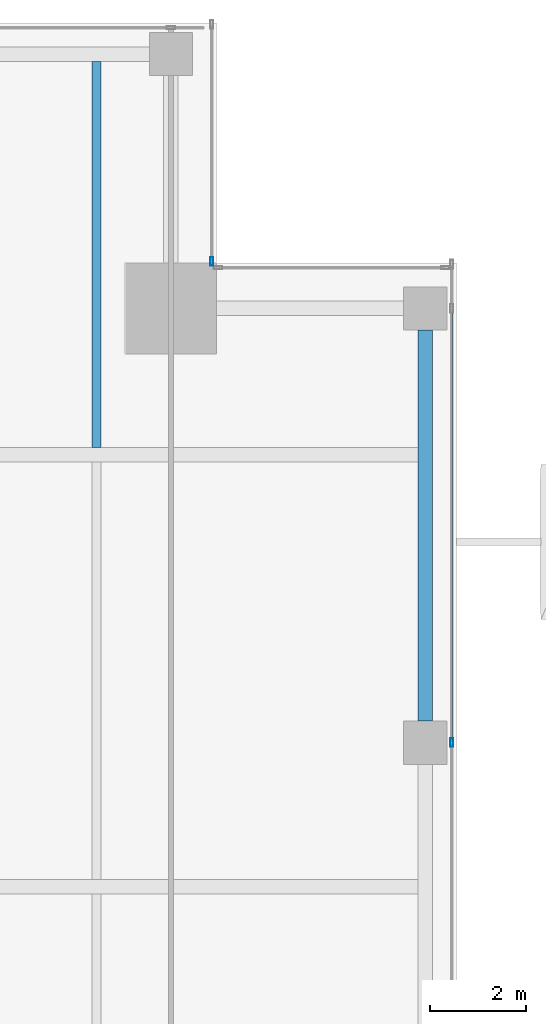
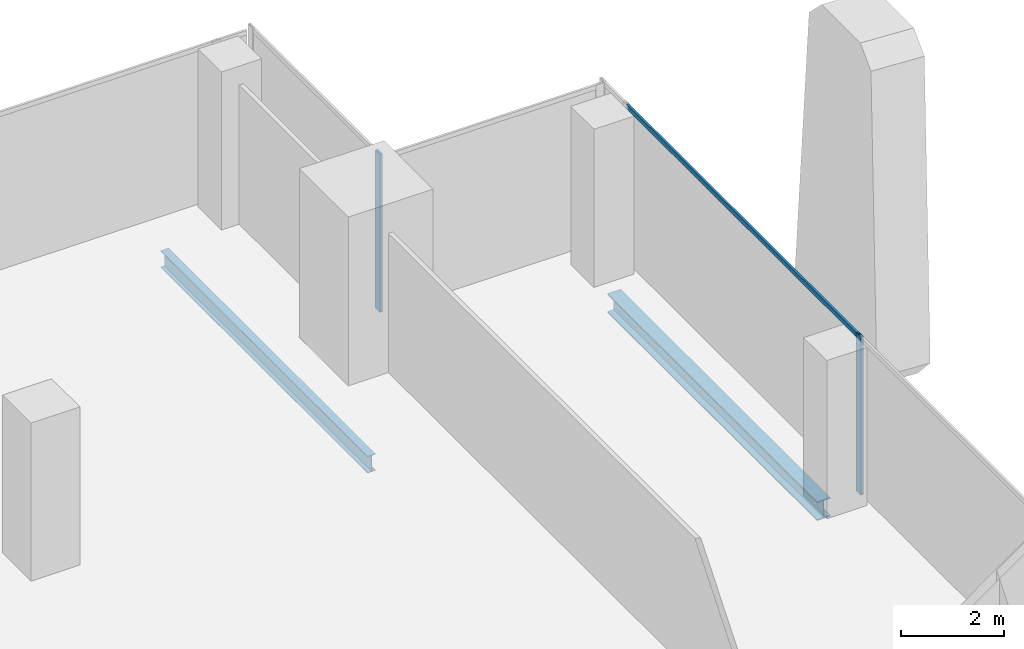
# One storey, part 22 of 36: 3 members, 2 beams, 2 elements without a shape of their own.
"""IFC4 building model written with IfcOpenShell, lengths in metres."""

from ifc_helpers import new_model, si_unit, direction, frame, origin, origin_2d, place, context, subcontext, project, spatial, hollow_rectangle, i_section, extrude, source, transform, mapped, material, material_profile, profile_set, type_object, element, aggregate, save


model = new_model("IFC4")

# Units and contexts
model_context = context("Model", 3, precision=1e-05, world=origin(), true_north=direction((0.0, 1.0)))
body_context = subcontext(model_context, "Body", "Model", "MODEL_VIEW")
ifc_project = project(units=[si_unit("LENGTHUNIT", "METRE"), si_unit("AREAUNIT", "SQUARE_METRE"), si_unit("VOLUMEUNIT", "CUBIC_METRE"), si_unit("PLANEANGLEUNIT", "RADIAN"), si_unit("MASSUNIT", "GRAM", prefix="KILO")], contexts=[model_context])

# Site, building, storey
site_placement = place(None, origin())
site = spatial("IfcSite", under=ifc_project, at=site_placement, CompositionType="ELEMENT")
building_placement = place(site_placement, origin())
building = spatial("IfcBuilding", under=site, at=building_placement, Name="Khomas Fold Tower", CompositionType="ELEMENT")
storey_placement = place(building_placement, frame((0.0, 0.0, 238.199951171875)))
storey = spatial("IfcBuildingStorey", under=building, at=storey_placement, Name="L53", CompositionType="ELEMENT", Elevation=238.199951171875)

# Beams
ifc_material_1 = material(Name="Steel S355", Category="steel")
ifc_material_profile_1 = material_profile(ifc_material_1, i_section(OverallWidth=0.300048828125, OverallDepth=0.449951171875, WebThickness=0.013916015625, FlangeThickness=0.02587890625, at=origin_2d()), Name="HE 450 B")
ifc_profile_set_1 = profile_set([ifc_material_profile_1], Name="Steel S355")
beam_type_1 = type_object("IfcBeamType", Name="HE 450 B spandrel SB4", PredefinedType="SPANDREL", material=ifc_profile_set_1)
shared_shape_1 = source(origin(), body_context, "Body", "SweptSolid", [
    extrude(i_section(OverallWidth=0.300048828125, OverallDepth=0.449951171875, WebThickness=0.013916015625, FlangeThickness=0.02587890625, at=origin_2d()), origin(), (0.0, 0.0, 1.0), 8.150146484375),
])
beam_1_placement = place(storey_placement, frame((48.85009765625, 34.949951171875, -0.474853515625), z_axis=(0.0, 1.0, 0.0), x_axis=(-1.0, 0.0, 0.0)))
element("IfcBeam", 1, at=beam_1_placement, inside=storey, type_object=beam_type_1, Name="SB4", PredefinedType="SPANDREL", context=body_context, shape_type="MappedRepresentation", body=[
    mapped(shared_shape_1, transform((0.0, 0.0, 0.0))),
])
ifc_material_2 = material(Name="Steel S355", Category="steel")
ifc_material_profile_2 = material_profile(ifc_material_2, i_section(OverallWidth=0.179931640625, OverallDepth=0.39990234375, WebThickness=0.008544921875, FlangeThickness=0.013427734375, at=origin_2d()), Name="IPE 400")
ifc_profile_set_2 = profile_set([ifc_material_profile_2], Name="Steel S355")
beam_type_2 = type_object("IfcBeamType", Name="IPE 400 beam JB3", PredefinedType="BEAM", material=ifc_profile_set_2)
shared_shape_2 = source(origin(), body_context, "Body", "SweptSolid", [
    extrude(i_section(OverallWidth=0.179931640625, OverallDepth=0.39990234375, WebThickness=0.008544921875, FlangeThickness=0.013427734375, at=origin_2d()), origin(), (0.0, 0.0, 1.0), 8.050048828125),
])
beam_2_placement = place(storey_placement, frame((42.0, 40.64990234375, -0.449951171875), z_axis=(0.0, 1.0, 0.0), x_axis=(-1.0, 0.0, 0.0)))
element("IfcBeam", 2, at=beam_2_placement, inside=storey, type_object=beam_type_2, Name="JB3", PredefinedType="BEAM", context=body_context, shape_type="MappedRepresentation", body=[
    mapped(shared_shape_2, transform((0.0, 0.0, 0.0))),
])

# Curtain wall, member
ifc_material_3 = material(Name="Aluminium framed double glazing", Category="aluminium")
curtain_wall_type = type_object("IfcCurtainWallType", Name="SK-Unitised clear-glass wall, office floors CW2", PredefinedType="NOTDEFINED", material=ifc_material_3)
curtain_wall_1_placement = place(storey_placement, origin())
curtain_wall_1 = element("IfcCurtainWall", 3, at=curtain_wall_1_placement, inside=storey, type_object=curtain_wall_type, Name="CW2 run L53 03-0", PredefinedType="NOTDEFINED")
ifc_material_4 = material(Name="Aluminium", Category="aluminium")
ifc_material_profile_3 = material_profile(ifc_material_4, hollow_rectangle(XDim=0.06005859375, YDim=0.179931640625, WallThickness=0.00390625, at=origin_2d()), Name="SK-Unitised clear-glass wall, office floors mullion CW2-M")
ifc_profile_set_3 = profile_set([ifc_material_profile_3], Name="Aluminium")
member_type_1 = type_object("IfcMemberType", Name="SK-Unitised clear-glass wall, office floors mullion CW2-M", PredefinedType="MULLION", material=ifc_profile_set_3)
shared_shape_3 = source(origin(), body_context, "Body", "SweptSolid", [
    extrude(hollow_rectangle(XDim=0.06005859375, YDim=0.179931640625, WallThickness=0.00390625, at=origin_2d()), origin(), (0.0, 0.0, 1.0), 3.75),
])
member_1_placement = place(storey_placement, frame((49.39990234375, 34.5, 0.0), z_axis=(0.0, 0.0, 1.0), x_axis=(-1.0, 0.0, 0.0)))
member_1 = element("IfcMember", 4, at=member_1_placement, type_object=member_type_1, Name="CW2 mullion 5", PredefinedType="MULLION", context=body_context, shape_type="MappedRepresentation", body=[
    mapped(shared_shape_3, transform((0.0, 0.0, 0.0))),
])

curtain_wall_2_placement = place(storey_placement, origin())
curtain_wall_2 = element("IfcCurtainWall", 5, at=curtain_wall_2_placement, inside=storey, type_object=curtain_wall_type, Name="CW2 corner return L53 05", PredefinedType="NOTDEFINED")
member_2_placement = place(storey_placement, frame((44.39990234375, 44.530029296875, 0.0), z_axis=(0.0, 0.0, 1.0), x_axis=(-1.0, 0.0, 0.0)))
member_2 = element("IfcMember", 6, at=member_2_placement, type_object=member_type_1, Name="CW2 mullion 1", PredefinedType="MULLION", context=body_context, shape_type="MappedRepresentation", body=[
    mapped(shared_shape_3, transform((0.0, 0.0, 0.0))),
])
aggregate(curtain_wall_2, [member_2])

# Member
ifc_material_5 = material(Name="Aluminium", Category="aluminium")
ifc_material_profile_4 = material_profile(ifc_material_5, hollow_rectangle(XDim=0.050048828125, YDim=0.110107421875, WallThickness=0.00390625, at=origin_2d()), Name="SK-Unitised clear-glass wall, office floors transom CW2-T")
ifc_profile_set_4 = profile_set([ifc_material_profile_4], Name="Aluminium")
member_type_2 = type_object("IfcMemberType", Name="SK-Unitised clear-glass wall, office floors transom CW2-T", PredefinedType="USERDEFINED", material=ifc_profile_set_4)
shared_shape_4 = source(origin(), body_context, "Body", "SweptSolid", [
    extrude(hollow_rectangle(XDim=0.050048828125, YDim=0.110107421875, WallThickness=0.00390625, at=origin_2d()), origin(), (0.0, 0.0, 1.0), 8.989990234375),
])
member_3_placement = place(storey_placement, frame((49.39990234375, 34.530029296875, 3.695068359375), z_axis=(0.0, 1.0, 0.0), x_axis=(-1.0, 0.0, 0.0)))
member_3 = element("IfcMember", 7, at=member_3_placement, type_object=member_type_2, Name="CW2 transom 5", ObjectType="TRANSOM", PredefinedType="USERDEFINED", context=body_context, shape_type="MappedRepresentation", body=[
    mapped(shared_shape_4, transform((0.0, 0.0, 0.0))),
])

aggregate(curtain_wall_1, [member_1, member_3])

save(model, "model.ifc")
